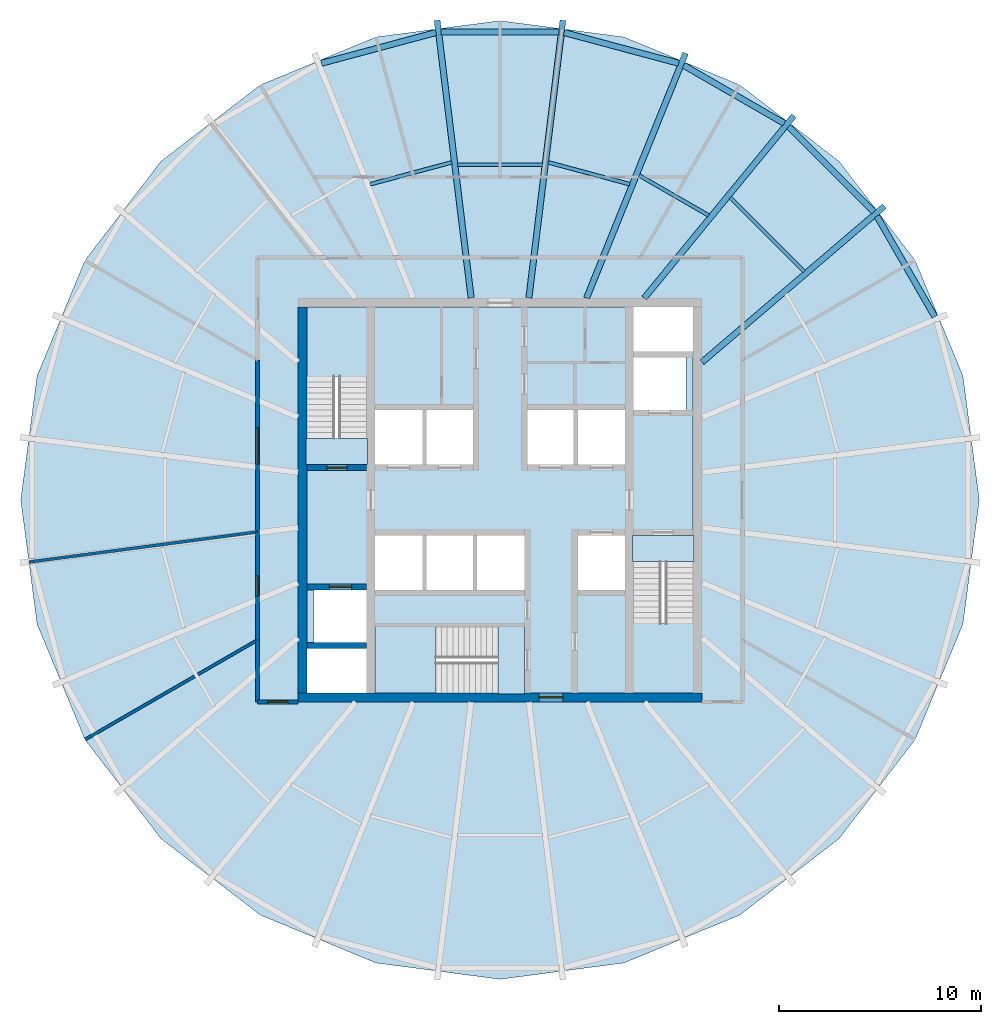
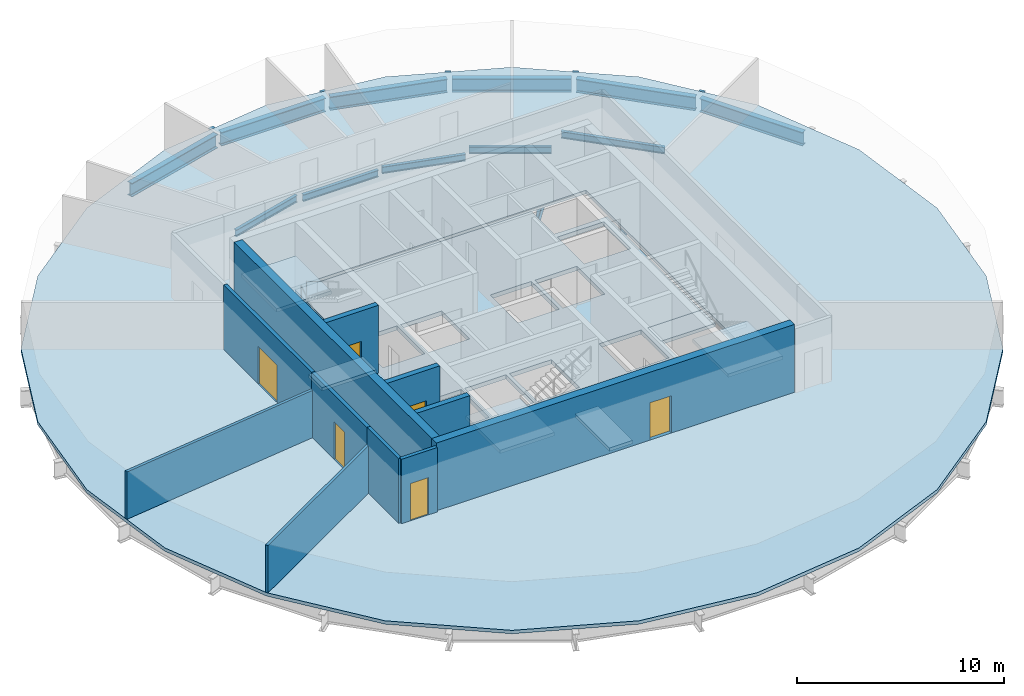
# One storey, part 2 of 5: 16 beams, 11 walls, 8 slabs, 6 doors, 6 openings, 3 elements without a shape of their own.
"""IFC4 building model written with IfcOpenShell, lengths in metres."""

import ifcopenshell
import ifcopenshell.guid

model = None  # the IFC model being written
_history = None  # IfcOwnerHistory: only IFC2X3 demands one
_inside = {}  # id of a spatial element -> (the spatial element, [elements in it])
_under = {}  # id of a project, library or spatial element -> (it, [spatial elements below it])
_declared = {}  # id of a project -> (the project, [libraries it declares])
_typed = {}  # id of a type object -> (the type object, [elements of that type])
_made_of = {}  # id of a material, layer set ... -> (it, [elements and type objects made of it])


def new_model(schema):
    """Start an empty IFC model of exactly this schema.

    Asked for "IFC4X3", IfcOpenShell would pick the latest addendum, in which some entities
    have other attributes; the version numbers below select the first issue.
    IFC2X3 requires an IfcOwnerHistory on every rooted entity: one is made here for all.
    """
    global model, _history
    if schema == "IFC4X3":
        model = ifcopenshell.file(schema_version=(4, 3, 0, 0))
    else:
        model = ifcopenshell.file(schema=schema)
    _inside.clear()
    _under.clear()
    _declared.clear()
    _typed.clear()
    _made_of.clear()
    _history = None
    if model.schema == "IFC2X3":
        org = make("IfcOrganization", Name="unknown")
        user = make(
            "IfcPersonAndOrganization",
            ThePerson=make("IfcPerson", FamilyName="unknown"),
            TheOrganization=org,
        )
        app = make(
            "IfcApplication",
            ApplicationDeveloper=org,
            Version="unknown",
            ApplicationFullName="unknown",
            ApplicationIdentifier="unknown",
        )
        _history = make(
            "IfcOwnerHistory",
            OwningUser=user,
            OwningApplication=app,
            ChangeAction="ADDED",
            CreationDate=0,
        )
    return model


def make(cls, **values):
    """One entity of the class cls with the attributes given. An attribute that is None is left unset."""
    return model.create_entity(
        cls, **{name: value for name, value in values.items() if value is not None}
    )


def rooted(cls, **values):
    """An entity with a GlobalId (a new one), such as an element, a storey or a relation."""
    return make(cls, GlobalId=ifcopenshell.guid.new(), OwnerHistory=_history, **values)


def si_unit(unit_type, name, prefix=None):
    """IfcSIUnit, for example si_unit("LENGTHUNIT", "METRE", prefix="MILLI")."""
    return make("IfcSIUnit", UnitType=unit_type, Prefix=prefix, Name=name)


def assignment(units):
    """IfcUnitAssignment: the units of a project."""
    return None if units is None else make("IfcUnitAssignment", Units=units)


def point(xyz):
    """IfcCartesianPoint."""
    return None if xyz is None else make("IfcCartesianPoint", Coordinates=xyz)


def direction(xyz):
    """IfcDirection."""
    return None if xyz is None else make("IfcDirection", DirectionRatios=xyz)


def frame(location, z_axis=None, x_axis=None):
    """IfcAxis2Placement3D, a coordinate frame: its origin and axes. An axis left out is left unset."""
    return make(
        "IfcAxis2Placement3D",
        Location=point(location),
        Axis=direction(z_axis),
        RefDirection=direction(x_axis),
    )


def frame_2d(location, x_axis=None):
    """IfcAxis2Placement2D, a coordinate frame in the plane: its origin and x axis."""
    return make(
        "IfcAxis2Placement2D", Location=point(location), RefDirection=direction(x_axis)
    )


def origin():
    """The frame at (0, 0, 0) with its axes left unset."""
    return frame((0.0, 0.0, 0.0))


def origin_2d():
    """The frame at (0, 0) in the plane with its x axis left unset."""
    return frame_2d((0.0, 0.0))


def place(relative_to, where):
    """IfcLocalPlacement: puts the frame where relative to a parent placement (None: the world)."""
    return make(
        "IfcLocalPlacement", PlacementRelTo=relative_to, RelativePlacement=where
    )


def context(
    kind, dimensions, precision=None, world=None, true_north=None, identifier=None
):
    """IfcGeometricRepresentationContext, for example the 3D "Model" context."""
    return make(
        "IfcGeometricRepresentationContext",
        ContextIdentifier=identifier,
        ContextType=kind,
        CoordinateSpaceDimension=dimensions,
        Precision=precision,
        WorldCoordinateSystem=world,
        TrueNorth=true_north,
    )


def subcontext(parent, identifier, kind, view, scale=None):
    """IfcGeometricRepresentationSubContext, for example "Body" below "Model"."""
    return make(
        "IfcGeometricRepresentationSubContext",
        ContextIdentifier=identifier,
        ContextType=kind,
        ParentContext=parent,
        TargetScale=scale,
        TargetView=view,
    )


def project(units=None, contexts=None):
    """IfcProject with its units and contexts."""
    return rooted(
        "IfcProject",
        Name="project",
        RepresentationContexts=contexts,
        UnitsInContext=assignment(units),
    )


def spatial(cls, under=None, at=None, **own):
    """A site, building, storey or space (cls), placed at a placement, below another one or the project."""
    s = rooted(cls, ObjectPlacement=at, **own)
    if under is not None:
        _under.setdefault(under.id(), (under, []))[1].append(s)
    return s


def polyline(points):
    """IfcPolyline through the points."""
    return make("IfcPolyline", Points=[point(p) for p in points])


def profile(cls, at=None, kind="AREA", **sizes):
    """A parametric profile (cls). Its sizes go by their IFC names, for example OverallWidth=200.0."""
    return make(cls, ProfileType=kind, Position=at, **sizes)


def rectangle(**sizes):
    """IfcRectangleProfileDef."""
    return profile("IfcRectangleProfileDef", **sizes)


def i_section(**sizes):
    """IfcIShapeProfileDef."""
    return profile("IfcIShapeProfileDef", **sizes)


def outline(outer, holes=None, kind="AREA"):
    """IfcArbitraryClosedProfileDef: a profile drawn as a closed curve; with holes, ...WithVoids."""
    if holes is None:
        return make("IfcArbitraryClosedProfileDef", ProfileType=kind, OuterCurve=outer)
    return make(
        "IfcArbitraryProfileDefWithVoids",
        ProfileType=kind,
        OuterCurve=outer,
        InnerCurves=holes,
    )


def extrude(swept, where, along, depth):
    """IfcExtrudedAreaSolid: the profile swept, set in the frame where, extruded along a direction by depth."""
    return make(
        "IfcExtrudedAreaSolid",
        SweptArea=swept,
        Position=where,
        ExtrudedDirection=direction(along),
        Depth=depth,
    )


def shape(context_of_items, identifier, shape_type, items):
    """IfcShapeRepresentation: the items that make up one representation, for example the "Body"."""
    return make(
        "IfcShapeRepresentation",
        ContextOfItems=context_of_items,
        RepresentationIdentifier=identifier,
        RepresentationType=shape_type,
        Items=items,
    )


def material(Name=None, Category=None):
    """IfcMaterial."""
    return make("IfcMaterial", Name=Name, Category=Category)


def layer(
    of_material, thickness, ventilated=None, Name=None, Category=None, Priority=None
):
    """IfcMaterialLayer: one layer of a wall or slab, of a material (None: an air gap)."""
    return make(
        "IfcMaterialLayer",
        Material=of_material,
        LayerThickness=thickness,
        IsVentilated=ventilated,
        Name=Name,
        Category=Category,
        Priority=Priority,
    )


def layer_set(layers, Name=None):
    """IfcMaterialLayerSet."""
    return make("IfcMaterialLayerSet", MaterialLayers=layers, LayerSetName=Name)


def material_profile(
    of_material, cross_section, Name=None, Category=None, Priority=None
):
    """IfcMaterialProfile: a cross section and its material."""
    return make(
        "IfcMaterialProfile",
        Name=Name,
        Material=of_material,
        Profile=cross_section,
        Priority=Priority,
        Category=Category,
    )


def profile_set(profiles, Name=None, composite=None):
    """IfcMaterialProfileSet."""
    return make(
        "IfcMaterialProfileSet",
        Name=Name,
        MaterialProfiles=profiles,
        CompositeProfile=composite,
    )


def made_of(thing, what):
    """Note that an element or type object is made of a material, layer set ...; save() writes the relation."""
    if what is not None:
        _made_of.setdefault(what.id(), (what, []))[1].append(thing)
    return thing


def type_object(cls, material=None, **own):
    """A type object (cls), such as IfcWallType, which elements share."""
    return made_of(rooted(cls, **own), material)


def element(
    cls,
    number,
    at=None,
    inside=None,
    cuts=None,
    type_object=None,
    material=None,
    context=None,
    identifier="Body",
    shape_type=None,
    held_by="IfcProductDefinitionShape",
    body=None,
    shapes=None,
    **own,
):
    """One element of the class cls, such as IfcWall. Its Tag is "e" and its number.

    at: its placement. inside: the storey or other place that contains it. cuts: it is an
    opening in that element (IfcRelVoidsElement). A single representation is given by context,
    identifier, shape_type and body (its items); several are given by shapes. held_by: the class
    of the entity that holds the representations. save() writes the other relations.
    """
    e = rooted(cls, Tag="e%d" % number, ObjectPlacement=at, **own)
    if body is not None:
        shapes = [shape(context, identifier, shape_type, body)]
    if shapes is not None:
        e.Representation = make(held_by, Representations=shapes)
    if inside is not None:
        _inside.setdefault(inside.id(), (inside, []))[1].append(e)
    if cuts is not None:
        rooted(
            "IfcRelVoidsElement", RelatingBuildingElement=cuts, RelatedOpeningElement=e
        )
    if type_object is not None:
        _typed.setdefault(type_object.id(), (type_object, []))[1].append(e)
    return made_of(e, material)


def fill(opening, filler):
    """IfcRelFillsElement: the door or window that sits in an opening."""
    return rooted(
        "IfcRelFillsElement",
        RelatingOpeningElement=opening,
        RelatedBuildingElement=filler,
    )


def aggregate(whole, parts):
    """IfcRelAggregates: a whole, such as a stair, and the parts it consists of."""
    return rooted("IfcRelAggregates", RelatingObject=whole, RelatedObjects=parts)


def save(model, path):
    """Write the relations noted so far, then the file.

    IfcRelAggregates (storeys below a building ...), IfcRelContainedInSpatialStructure (elements
    in a storey), IfcRelDefinesByType, IfcRelAssociatesMaterial and IfcRelDeclares: one each for
    every whole, place, type object, material and project.
    """
    for whole, parts in _under.values():
        aggregate(whole, parts)
    for where, things in _inside.values():
        rooted(
            "IfcRelContainedInSpatialStructure",
            RelatedElements=things,
            RelatingStructure=where,
        )
    for kind, things in _typed.values():
        rooted("IfcRelDefinesByType", RelatedObjects=things, RelatingType=kind)
    for what, things in _made_of.values():
        rooted("IfcRelAssociatesMaterial", RelatedObjects=things, RelatingMaterial=what)
    for by, libraries in _declared.values():
        rooted("IfcRelDeclares", RelatingContext=by, RelatedDefinitions=libraries)
    model.write(path)


model = new_model("IFC4")

# Units and contexts
model_context = context("Model", 3, precision=1e-05, world=origin(), true_north=direction((0.0, 1.0)))
body_context = subcontext(model_context, "Body", "Model", "MODEL_VIEW")
ifc_project = project(units=[si_unit("LENGTHUNIT", "METRE"), si_unit("AREAUNIT", "SQUARE_METRE"), si_unit("VOLUMEUNIT", "CUBIC_METRE"), si_unit("PLANEANGLEUNIT", "RADIAN"), si_unit("MASSUNIT", "GRAM", prefix="KILO")], contexts=[model_context])

# Site, building, storey
site_placement = place(None, origin())
site = spatial("IfcSite", under=ifc_project, at=site_placement, CompositionType="ELEMENT")
building_placement = place(site_placement, origin())
building = spatial("IfcBuilding", under=site, at=building_placement, Name="Golbaran Civic Tower", CompositionType="ELEMENT")
storey_placement = place(building_placement, frame((0.0, 0.0, 191.0)))
storey = spatial("IfcBuildingStorey", under=building, at=storey_placement, Name="L46", CompositionType="ELEMENT", Elevation=191.0)

# Beams
ifc_material_1 = material(Name="Steel S355", Category="steel")
ifc_material_profile_1 = material_profile(ifc_material_1, i_section(OverallWidth=0.300048828125, OverallDepth=0.800048828125, WebThickness=0.017578125, FlangeThickness=0.032958984375, FilletRadius=0.030029296875, at=origin_2d()), Name="HEB 800")
ifc_profile_set_1 = profile_set([ifc_material_profile_1], Name="Steel S355")
beam_type_1 = type_object("IfcBeamType", Name="EDGE BEAM HEB 800", PredefinedType="BEAM", material=ifc_profile_set_1)
beam_1_placement = place(storey_placement, frame((21.528564453125, 9.071533203125, -0.60009765625), z_axis=(-0.498783758657, 0.866726463251, 0.0), x_axis=(-0.866726463251, -0.498783758657, 0.0)))
element("IfcBeam", 1, at=beam_1_placement, inside=storey, type_object=beam_type_1, Name="Edge beam 22.54 L46", PredefinedType="BEAM", context=body_context, shape_type="SweptSolid", body=[
    extrude(i_section(OverallWidth=0.300048828125, OverallDepth=0.800048828125, WebThickness=0.017578125, FlangeThickness=0.032958984375, FilletRadius=0.030029296875, at=origin_2d()), origin(), (0.0, 0.0, 1.0), 5.750732421875),
])
beam_2_placement = place(storey_placement, frame((18.501953125, 14.2626953125, -0.60009765625), z_axis=(-0.706759243331, 0.707454148313, 0.0), x_axis=(-0.707454148313, -0.706759243331, 0.0)))
element("IfcBeam", 2, at=beam_2_placement, inside=storey, type_object=beam_type_1, Name="Edge beam 37.46 L46", PredefinedType="BEAM", context=body_context, shape_type="SweptSolid", body=[
    extrude(i_section(OverallWidth=0.300048828125, OverallDepth=0.800048828125, WebThickness=0.017578125, FlangeThickness=0.032958984375, FilletRadius=0.030029296875, at=origin_2d()), origin(), (0.0, 0.0, 1.0), 5.97265625),
])
beam_3_placement = place(storey_placement, frame((14.07421875, 18.646240234375, -0.60009765625), z_axis=(-0.866321769944, 0.499486327061, 0.0), x_axis=(-0.499486327061, -0.866321769944, 0.0)))
element("IfcBeam", 3, at=beam_3_placement, inside=storey, type_object=beam_type_1, Name="Edge beam 52.54 L46", PredefinedType="BEAM", context=body_context, shape_type="SweptSolid", body=[
    extrude(i_section(OverallWidth=0.300048828125, OverallDepth=0.800048828125, WebThickness=0.017578125, FlangeThickness=0.032958984375, FilletRadius=0.030029296875, at=origin_2d()), origin(), (0.0, 0.0, 1.0), 5.7587890625),
])
beam_4_placement = place(storey_placement, frame((8.844970703125, 21.622314453125, -0.60009765625), z_axis=(-0.965815688731, 0.259229734792, 0.0), x_axis=(-0.259229734792, -0.965815688731, 0.0)))
element("IfcBeam", 4, at=beam_4_placement, inside=storey, type_object=beam_type_1, Name="Edge beam 67.46 L46", PredefinedType="BEAM", context=body_context, shape_type="SweptSolid", body=[
    extrude(i_section(OverallWidth=0.300048828125, OverallDepth=0.800048828125, WebThickness=0.017578125, FlangeThickness=0.032958984375, FilletRadius=0.030029296875, at=origin_2d()), origin(), (0.0, 0.0, 1.0), 5.875),
])
beam_5_placement = place(storey_placement, frame((2.9130859375, 23.17919921875, -0.60009765625), z_axis=(-1.0, 0.0, 0.0), x_axis=(0.0, -1.0, 0.0)))
element("IfcBeam", 5, at=beam_5_placement, inside=storey, type_object=beam_type_1, Name="Edge beam 82.54 L46", PredefinedType="BEAM", context=body_context, shape_type="SweptSolid", body=[
    extrude(i_section(OverallWidth=0.300048828125, OverallDepth=0.800048828125, WebThickness=0.017578125, FlangeThickness=0.032958984375, FilletRadius=0.030029296875, at=origin_2d()), origin(), (0.0, 0.0, 1.0), 5.826171875),
])
beam_6_placement = place(storey_placement, frame((-3.1708984375, 23.145263671875, -0.60009765625), z_axis=(-0.965815688731, -0.259229734792, 0.0), x_axis=(0.259229734792, -0.965815688731, 0.0)))
element("IfcBeam", 6, at=beam_6_placement, inside=storey, type_object=beam_type_1, Name="Edge beam 97.46 L46", PredefinedType="BEAM", context=body_context, shape_type="SweptSolid", body=[
    extrude(i_section(OverallWidth=0.300048828125, OverallDepth=0.800048828125, WebThickness=0.017578125, FlangeThickness=0.032958984375, FilletRadius=0.030029296875, at=origin_2d()), origin(), (0.0, 0.0, 1.0), 5.875),
])
ifc_material_profile_2 = material_profile(ifc_material_1, i_section(OverallWidth=0.179931640625, OverallDepth=0.39990234375, WebThickness=0.008544921875, FlangeThickness=0.013427734375, FilletRadius=0.02099609375, at=origin_2d()), Name="IPE 400")
ifc_profile_set_2 = profile_set([ifc_material_profile_2], Name="Steel S355")
beam_type_2 = type_object("IfcBeamType", Name="FLOOR INFILL BEAM IPE 400", PredefinedType="BEAM", material=ifc_profile_set_2)
beam_7_placement = place(storey_placement, frame((15.06201171875, 11.3212890625, -0.39990234375), z_axis=(-0.707106781187, 0.707106781187, 0.0), x_axis=(-0.707106781187, -0.707106781187, 0.0)))
element("IfcBeam", 7, at=beam_7_placement, inside=storey, type_object=beam_type_2, Name="Infill beam 45.00 L46", PredefinedType="BEAM", context=body_context, shape_type="SweptSolid", body=[
    extrude(i_section(OverallWidth=0.179931640625, OverallDepth=0.39990234375, WebThickness=0.008544921875, FlangeThickness=0.013427734375, FilletRadius=0.02099609375, at=origin_2d()), origin(), (0.0, 0.0, 1.0), 5.176513671875),
])
beam_8_placement = place(storey_placement, frame((10.330810546875, 14.087158203125, -0.39990234375), z_axis=(-0.86601911396, 0.500010894137, 0.0), x_axis=(-0.500010894137, -0.86601911396, 0.0)))
element("IfcBeam", 8, at=beam_8_placement, inside=storey, type_object=beam_type_2, Name="Infill beam 60.00 L46", PredefinedType="BEAM", context=body_context, shape_type="SweptSolid", body=[
    extrude(i_section(OverallWidth=0.179931640625, OverallDepth=0.39990234375, WebThickness=0.008544921875, FlangeThickness=0.013427734375, FilletRadius=0.02099609375, at=origin_2d()), origin(), (0.0, 0.0, 1.0), 3.98095703125),
])
beam_9_placement = place(storey_placement, frame((6.423828125, 15.634521484375, -0.39990234375), z_axis=(-0.96592721274, 0.258813870741, 0.0), x_axis=(-0.258813870741, -0.96592721274, 0.0)))
element("IfcBeam", 9, at=beam_9_placement, inside=storey, type_object=beam_type_2, Name="Infill beam 75.00 L46", PredefinedType="BEAM", context=body_context, shape_type="SweptSolid", body=[
    extrude(i_section(OverallWidth=0.179931640625, OverallDepth=0.39990234375, WebThickness=0.008544921875, FlangeThickness=0.013427734375, FilletRadius=0.02099609375, at=origin_2d()), origin(), (0.0, 0.0, 1.0), 4.18359375),
])
beam_10_placement = place(storey_placement, frame((2.105224609375, 16.589599609375, -0.39990234375), z_axis=(-1.0, 0.0, 0.0), x_axis=(0.0, -1.0, 0.0)))
element("IfcBeam", 10, at=beam_10_placement, inside=storey, type_object=beam_type_2, Name="Infill beam 90.00 L46", PredefinedType="BEAM", context=body_context, shape_type="SweptSolid", body=[
    extrude(i_section(OverallWidth=0.179931640625, OverallDepth=0.39990234375, WebThickness=0.008544921875, FlangeThickness=0.013427734375, FilletRadius=0.02099609375, at=origin_2d()), origin(), (0.0, 0.0, 1.0), 4.21044921875),
])
beam_11_placement = place(storey_placement, frame((-2.3828125, 16.71728515625, -0.39990234375), z_axis=(-0.96592721274, -0.258813870741, 0.0), x_axis=(0.258813870741, -0.96592721274, 0.0)))
element("IfcBeam", 11, at=beam_11_placement, inside=storey, type_object=beam_type_2, Name="Infill beam 105.00 L46", PredefinedType="BEAM", context=body_context, shape_type="SweptSolid", body=[
    extrude(i_section(OverallWidth=0.179931640625, OverallDepth=0.39990234375, WebThickness=0.008544921875, FlangeThickness=0.013427734375, FilletRadius=0.02099609375, at=origin_2d()), origin(), (0.0, 0.0, 1.0), 4.18359375),
])
ifc_material_profile_3 = material_profile(ifc_material_1, i_section(OverallWidth=0.300048828125, OverallDepth=1.0, WebThickness=0.01904296875, FlangeThickness=0.035888671875, FilletRadius=0.030029296875, at=origin_2d()), Name="HEB 1000")
ifc_profile_set_3 = profile_set([ifc_material_profile_3], Name="Steel S355")
beam_type_3 = type_object("IfcBeamType", Name="RADIAL FLOOR BEAM HEB 1000", PredefinedType="BEAM", material=ifc_profile_set_3)
beam_12_placement = place(storey_placement, frame((10.0, 6.821533203125, -0.7099609375), z_axis=(0.760014614656, 0.649905982054, 0.0), x_axis=(-0.649905982054, 0.760014614656, 0.0)))
element("IfcBeam", 12, at=beam_12_placement, inside=storey, type_object=beam_type_3, Name="Radial beam 37.46 L46", PredefinedType="BEAM", context=body_context, shape_type="SweptSolid", body=[
    extrude(i_section(OverallWidth=0.300048828125, OverallDepth=1.0, WebThickness=0.01904296875, FlangeThickness=0.035888671875, FilletRadius=0.030029296875, at=origin_2d()), origin(), (0.0, 0.0, 1.0), 11.88232421875),
])
beam_13_placement = place(storey_placement, frame((7.142822265625, 10.0, -0.7099609375), z_axis=(0.634591816871, 0.772847479106, 0.0), x_axis=(-0.772847479106, 0.634591816871, 0.0)))
element("IfcBeam", 13, at=beam_13_placement, inside=storey, type_object=beam_type_3, Name="Radial beam 52.54 L46", PredefinedType="BEAM", context=body_context, shape_type="SweptSolid", body=[
    extrude(i_section(OverallWidth=0.300048828125, OverallDepth=1.0, WebThickness=0.01904296875, FlangeThickness=0.035888671875, FilletRadius=0.030029296875, at=origin_2d()), origin(), (0.0, 0.0, 1.0), 11.67578125),
])
beam_14_placement = place(storey_placement, frame((4.28564453125, 10.0, -0.7099609375), z_axis=(0.374865680625, 0.927079134427, 0.0), x_axis=(-0.927079134427, 0.374865680625, 0.0)))
element("IfcBeam", 14, at=beam_14_placement, inside=storey, type_object=beam_type_3, Name="Radial beam 67.46 L46", PredefinedType="BEAM", context=body_context, shape_type="SweptSolid", body=[
    extrude(i_section(OverallWidth=0.300048828125, OverallDepth=1.0, WebThickness=0.01904296875, FlangeThickness=0.035888671875, FilletRadius=0.030029296875, at=origin_2d()), origin(), (0.0, 0.0, 1.0), 13.072509765625),
])
for number, where, z_axis, x_axis, name in (
    (15, (1.428466796875, 10.0, -0.7099609375), (0.121665240472, 0.992571191029, 0.0), (-0.992571191029, 0.121665240472, 0.0), "Radial beam 82.54 L46"),
    (16, (-1.428466796875, 10.0, -0.7099609375), (-0.121665240472, 0.992571191029, 0.0), (-0.992571191029, -0.121665240472, 0.0), "Radial beam 97.46 L46"),
):
    element("IfcBeam", number, at=place(storey_placement, frame(where, z_axis=z_axis, x_axis=x_axis)), inside=storey, type_object=beam_type_3, Name=name, PredefinedType="BEAM", context=body_context, shape_type="SweptSolid", body=[
        extrude(i_section(OverallWidth=0.300048828125, OverallDepth=1.0, WebThickness=0.01904296875, FlangeThickness=0.035888671875, FilletRadius=0.030029296875, at=origin_2d()), origin(), (0.0, 0.0, 1.0), 13.849853515625),
    ])

# Slabs
ifc_material_2 = material(Name="Concrete LC30/33 lightweight on steel deck", Category="concrete")
ifc_layer_1 = layer(ifc_material_2, 0.199951171875, Name="Concrete LC30/33 lightweight on steel deck")
ifc_layer_set_1 = layer_set([ifc_layer_1], Name="Concrete LC30/33 lightweight on steel deck")
slab_type_1 = type_object("IfcSlabType", Name="COMPOSITE FLOOR SLAB 200", PredefinedType="FLOOR", material=ifc_layer_set_1)
slab_1_placement = place(storey_placement, frame((0.0, 0.0, -0.199951171875)))
element("IfcSlab", 17, at=slab_1_placement, inside=storey, type_object=slab_type_1, Name="Floor slab L46", PredefinedType="FLOOR", context=body_context, shape_type="SweptSolid", body=[
    extrude(outline(polyline([(20.552001953125, -11.86572265625), (16.780517578125, -16.780517578125), (11.86572265625, -20.552001953125), (6.14208984375, -22.922607421875), (0.0, -23.731201171875), (-6.14208984375, -22.922607421875), (-11.86572265625, -20.552001953125), (-16.780517578125, -16.780517578125), (-20.552001953125, -11.86572265625), (-22.922607421875, -6.14208984375), (-23.731201171875, 0.0), (-22.922607421875, 6.14208984375), (-20.552001953125, 11.86572265625), (-16.780517578125, 16.780517578125), (-11.86572265625, 20.552001953125), (-6.14208984375, 22.922607421875), (0.0, 23.731201171875), (6.14208984375, 22.922607421875), (11.86572265625, 20.552001953125), (16.780517578125, 16.780517578125), (20.552001953125, 11.86572265625), (22.922607421875, 6.14208984375), (23.731201171875, 0.0), (22.922607421875, -6.14208984375), (20.552001953125, -11.86572265625)]), holes=[polyline([(-9.77490234375, 9.77490234375), (-9.77490234375, -9.77490234375), (9.77490234375, -9.77490234375), (9.77490234375, 9.77490234375), (-9.77490234375, 9.77490234375)])]), origin(), (0.0, 0.0, 1.0), 0.199951171875),
])
ifc_material_3 = material(Name="Concrete C35/45", Category="concrete")
ifc_layer_2 = layer(ifc_material_3, 0.25, Name="Concrete C35/45")
ifc_layer_set_2 = layer_set([ifc_layer_2], Name="Concrete C35/45")
slab_type_2 = type_object("IfcSlabType", Name="CORE FLOOR SLAB 250", PredefinedType="FLOOR", material=ifc_layer_set_2)
slab_2_placement = place(storey_placement, frame((0.0, 0.0, -0.25)))
element("IfcSlab", 18, at=slab_2_placement, inside=storey, type_object=slab_type_2, Name="Core floor slab L46", PredefinedType="FLOOR", context=body_context, shape_type="SweptSolid", body=[
    extrude(outline(polyline([(6.60009765625, -1.75), (6.60009765625, -9.550048828125), (1.199951171875, -9.550048828125), (1.199951171875, -6.300048828125), (-6.199951171875, -6.300048828125), (-6.199951171875, -9.550048828125), (-6.60009765625, -9.550048828125), (-6.60009765625, -7.35009765625), (-9.550048828125, -7.35009765625), (-9.550048828125, 1.75), (-6.60009765625, 1.75), (-6.60009765625, 9.550048828125), (6.60009765625, 9.550048828125), (6.60009765625, 7.35009765625), (9.550048828125, 7.35009765625), (9.550048828125, -1.75), (6.60009765625, -1.75)]), holes=[polyline([(9.199951171875, 7.050048828125), (6.60009765625, 7.050048828125), (6.60009765625, 4.449951171875), (9.199951171875, 4.449951171875), (9.199951171875, 7.050048828125)]), polyline([(6.199951171875, -1.75), (3.85009765625, -1.75), (3.85009765625, -4.449951171875), (6.199951171875, -4.449951171875), (6.199951171875, -1.75)]), polyline([(6.199951171875, 4.449951171875), (3.85009765625, 4.449951171875), (3.85009765625, 1.75), (6.199951171875, 1.75), (6.199951171875, 4.449951171875)]), polyline([(3.64990234375, 4.449951171875), (1.35009765625, 4.449951171875), (1.35009765625, 1.75), (3.64990234375, 1.75), (3.64990234375, 4.449951171875)]), polyline([(1.199951171875, -1.75), (-1.14990234375, -1.75), (-1.14990234375, -4.449951171875), (1.199951171875, -4.449951171875), (1.199951171875, -1.75)]), polyline([(-1.35009765625, 4.449951171875), (-3.64990234375, 4.449951171875), (-3.64990234375, 1.75), (-1.35009765625, 1.75), (-1.35009765625, 4.449951171875)]), polyline([(-1.35009765625, -1.75), (-3.64990234375, -1.75), (-3.64990234375, -4.449951171875), (-1.35009765625, -4.449951171875), (-1.35009765625, -1.75)]), polyline([(-3.85009765625, -1.75), (-6.199951171875, -1.75), (-6.199951171875, -4.449951171875), (-3.85009765625, -4.449951171875), (-3.85009765625, -1.75)]), polyline([(-3.85009765625, 4.449951171875), (-6.199951171875, 4.449951171875), (-6.199951171875, 1.75), (-3.85009765625, 1.75), (-3.85009765625, 4.449951171875)]), polyline([(-6.60009765625, -4.449951171875), (-9.199951171875, -4.449951171875), (-9.199951171875, -7.050048828125), (-6.60009765625, -7.050048828125), (-6.60009765625, -4.449951171875)])]), origin(), (0.0, 0.0, 1.0), 0.25),
])

# Stair, slab
stair_type_1 = type_object("IfcStairType", Name="EXIT STAIR 2950 x 7800, 4000 RISE", PredefinedType="HALF_TURN_STAIR", material=ifc_material_3)
stair_1_placement = place(storey_placement, origin())
stair_1 = element("IfcStair", 19, at=stair_1_placement, inside=storey, type_object=stair_type_1, Name="Stair S1 L46", PredefinedType="HALF_TURN_STAIR")
ifc_layer_3 = layer(ifc_material_3, 0.199951171875, Name="Concrete C35/45")
ifc_layer_set_3 = layer_set([ifc_layer_3], Name="Concrete C35/45")
slab_type_3 = type_object("IfcSlabType", Name="STAIR LANDING 200", PredefinedType="LANDING", material=ifc_layer_set_3)
slab_3_placement = place(storey_placement, frame((0.0, 0.0, 1.800048828125)))
slab_3 = element("IfcSlab", 20, at=slab_3_placement, type_object=slab_type_3, Name="ST29578-40 landing 1", PredefinedType="LANDING", context=body_context, shape_type="SweptSolid", body=[
    extrude(outline(polyline([(-9.60009765625, 6.125), (-9.60009765625, 9.550048828125), (-6.550048828125, 9.550048828125), (-6.550048828125, 6.125), (-9.60009765625, 6.125)])), origin(), (0.0, 0.0, 1.0), 0.199951171875),
])
aggregate(stair_1, [slab_3])

# Slab
slab_4_placement = place(storey_placement, frame((0.0, 0.0, -0.199951171875)))
element("IfcSlab", 21, at=slab_4_placement, inside=storey, type_object=slab_type_3, Name="Stair S1 floor landing L46", PredefinedType="LANDING", context=body_context, shape_type="SweptSolid", body=[
    extrude(outline(polyline([(-9.60009765625, 1.75), (-9.60009765625, 3.054931640625), (-6.550048828125, 3.054931640625), (-6.550048828125, 1.75), (-9.60009765625, 1.75)])), origin(), (0.0, 0.0, 1.0), 0.199951171875),
])

# Stair, slab
stair_2_placement = place(storey_placement, origin())
stair_2 = element("IfcStair", 22, at=stair_2_placement, inside=storey, type_object=stair_type_1, Name="Stair S2 L46", PredefinedType="HALF_TURN_STAIR")
slab_5_placement = place(storey_placement, frame((0.0, 0.0, 1.800048828125)))
slab_5 = element("IfcSlab", 23, at=slab_5_placement, type_object=slab_type_3, Name="ST29578-40 landing 1", PredefinedType="LANDING", context=body_context, shape_type="SweptSolid", body=[
    extrude(outline(polyline([(9.60009765625, -6.125), (9.60009765625, -9.550048828125), (6.550048828125, -9.550048828125), (6.550048828125, -6.125), (9.60009765625, -6.125)])), origin(), (0.0, 0.0, 1.0), 0.199951171875),
])
aggregate(stair_2, [slab_5])

# Slab
slab_6_placement = place(storey_placement, frame((0.0, 0.0, -0.199951171875)))
element("IfcSlab", 24, at=slab_6_placement, inside=storey, type_object=slab_type_3, Name="Stair S2 floor landing L46", PredefinedType="LANDING", context=body_context, shape_type="SweptSolid", body=[
    extrude(outline(polyline([(9.60009765625, -1.75), (9.60009765625, -3.054931640625), (6.550048828125, -3.054931640625), (6.550048828125, -1.75), (9.60009765625, -1.75)])), origin(), (0.0, 0.0, 1.0), 0.199951171875),
])

# Stair, slab
stair_type_2 = type_object("IfcStairType", Name="EXIT STAIR 3250 x 7400, 4000 RISE", PredefinedType="HALF_TURN_STAIR", material=ifc_material_3)
stair_3_placement = place(storey_placement, origin())
stair_3 = element("IfcStair", 25, at=stair_3_placement, inside=storey, type_object=stair_type_2, Name="Stair S3 L46", PredefinedType="HALF_TURN_STAIR")
slab_7_placement = place(storey_placement, frame((0.0, 0.0, 1.800048828125)))
slab_7 = element("IfcSlab", 26, at=slab_7_placement, type_object=slab_type_3, Name="ST32574-40 landing 1", PredefinedType="LANDING", context=body_context, shape_type="SweptSolid", body=[
    extrude(outline(polyline([(-3.175048828125, -9.60009765625), (-6.199951171875, -9.60009765625), (-6.199951171875, -6.25), (-3.175048828125, -6.25), (-3.175048828125, -9.60009765625)])), origin(), (0.0, 0.0, 1.0), 0.199951171875),
])
aggregate(stair_3, [slab_7])

# Slab
slab_8_placement = place(storey_placement, frame((0.0, 0.0, -0.199951171875)))
element("IfcSlab", 27, at=slab_8_placement, inside=storey, type_object=slab_type_3, Name="Stair S3 floor landing L46", PredefinedType="LANDING", context=body_context, shape_type="SweptSolid", body=[
    extrude(outline(polyline([(1.199951171875, -9.60009765625), (-0.10498046875, -9.60009765625), (-0.10498046875, -6.25), (1.199951171875, -6.25), (1.199951171875, -9.60009765625)])), origin(), (0.0, 0.0, 1.0), 0.199951171875),
])

# Wall, opening, door
ifc_material_4 = material(Name="Concrete C50/60", Category="concrete")
ifc_layer_4 = layer(ifc_material_4, 0.449951171875, Name="Concrete C50/60")
ifc_layer_set_4 = layer_set([ifc_layer_4], Name="Concrete C50/60")
wall_type_1 = type_object("IfcWallType", Name="CORE WALL CONCRETE 450", PredefinedType="SOLIDWALL", material=ifc_layer_set_4)
wall_1_placement = place(storey_placement, frame((10.0, -9.77490234375, 0.0), z_axis=(0.0, 0.0, 1.0), x_axis=(-1.0, 0.0, 0.0)))
wall_1 = element("IfcWall", 28, at=wall_1_placement, inside=storey, type_object=wall_type_1, Name="Core wall CS L46", PredefinedType="SOLIDWALL", context=body_context, shape_type="SweptSolid", body=[
    extrude(rectangle(XDim=20.0, YDim=0.449951171875, at=frame_2d((10.0, 0.0))), origin(), (0.0, 0.0, 1.0), 4.0),
])
opening_1_placement = place(wall_1_placement, frame((6.875, 0.0, 0.0)))
opening_1 = element("IfcOpeningElement", 29, at=opening_1_placement, cuts=wall_1, Name="Opening L46.CS", PredefinedType="OPENING", context=body_context, shape_type="SweptSolid", body=[
    extrude(rectangle(XDim=1.199951171875, YDim=2.199951171875, at=frame_2d((0.60009765625, 1.10009765625))), frame((0.0, 0.23486328125, 0.0), z_axis=(0.0, -1.0, 0.0), x_axis=(1.0, 0.0, 0.0)), (0.0, 0.0, 1.0), 0.469970703125),
])
ifc_material_5 = material(Name="Timber door set in steel frame", Category="steel")
door_type_1 = type_object("IfcDoorType", Name="CORE DOOR 1200x2200", OperationType="DOUBLE_DOOR_SINGLE_SWING", PredefinedType="DOOR", material=ifc_material_5)
door_1_placement = place(opening_1_placement, origin())
door_1 = element("IfcDoor", 30, at=door_1_placement, inside=storey, type_object=door_type_1, Name="Core door south", OperationType="DOUBLE_DOOR_SINGLE_SWING", OverallHeight=2.199951171875, OverallWidth=1.199951171875, PredefinedType="DOOR", context=body_context, shape_type="SweptSolid", body=[
    extrude(rectangle(XDim=1.199951171875, YDim=2.199951171875, at=frame_2d((0.60009765625, 1.10009765625))), frame((0.0, 0.02490234375, 0.0), z_axis=(0.0, -1.0, 0.0), x_axis=(1.0, 0.0, 0.0)), (0.0, 0.0, 1.0), 0.050048828125),
])
fill(opening_1, door_1)

# Wall
wall_2_placement = place(storey_placement, frame((-9.77490234375, 9.550048828125, 0.0), z_axis=(0.0, 0.0, 1.0), x_axis=(0.0, -1.0, 0.0)))
element("IfcWall", 31, at=wall_2_placement, inside=storey, type_object=wall_type_1, Name="Core wall CW L46", PredefinedType="SOLIDWALL", context=body_context, shape_type="SweptSolid", body=[
    extrude(rectangle(XDim=19.10009765625, YDim=0.449951171875, at=frame_2d((9.550048828125, 0.0))), origin(), (0.0, 0.0, 1.0), 4.0),
])

# Wall, opening, door
ifc_material_6 = material(Name="Gypsum board on steel studs, fire-rated", Category="steel")
ifc_layer_5 = layer(ifc_material_6, 0.199951171875, Name="Gypsum board on steel studs, fire-rated")
ifc_layer_set_5 = layer_set([ifc_layer_5], Name="Gypsum board on steel studs, fire-rated")
wall_type_2 = type_object("IfcWallType", Name="CORRIDOR WALL 200", PredefinedType="PARTITIONING", material=ifc_layer_set_5)
wall_3_placement = place(storey_placement, frame((-12.0, 6.92822265625, 0.0), z_axis=(0.0, 0.0, 1.0), x_axis=(0.0, -1.0, 0.0)))
wall_3 = element("IfcWall", 32, at=wall_3_placement, inside=storey, type_object=wall_type_2, Name="Corridor wall L46", PredefinedType="PARTITIONING", context=body_context, shape_type="SweptSolid", body=[
    extrude(rectangle(XDim=8.508056640625, YDim=0.199951171875, at=frame_2d((4.25390625, 0.0))), origin(), (0.0, 0.0, 1.0), 3.800048828125),
])
opening_2_placement = place(wall_3_placement, frame((3.35400390625, 0.0, 0.0)))
opening_2 = element("IfcOpeningElement", 33, at=opening_2_placement, cuts=wall_3, Name="Opening L46.11", PredefinedType="OPENING", context=body_context, shape_type="SweptSolid", body=[
    extrude(rectangle(XDim=1.800048828125, YDim=2.199951171875, at=frame_2d((0.89990234375, 1.10009765625))), frame((0.0, 0.10986328125, 0.0), z_axis=(0.0, -1.0, 0.0), x_axis=(1.0, 0.0, 0.0)), (0.0, 0.0, 1.0), 0.219970703125),
])
door_type_2 = type_object("IfcDoorType", Name="OFFICE DOUBLE DOOR 1800x2200", OperationType="DOUBLE_DOOR_SINGLE_SWING", PredefinedType="DOOR", material=ifc_material_5)
door_2_placement = place(opening_2_placement, origin())
door_2 = element("IfcDoor", 34, at=door_2_placement, inside=storey, type_object=door_type_2, Name="IT Services Office door L46", OperationType="DOUBLE_DOOR_SINGLE_SWING", OverallHeight=2.199951171875, OverallWidth=1.800048828125, PredefinedType="DOOR", context=body_context, shape_type="SweptSolid", body=[
    extrude(rectangle(XDim=1.800048828125, YDim=2.199951171875, at=frame_2d((0.89990234375, 1.10009765625))), frame((0.0, 0.02490234375, 0.0), z_axis=(0.0, -1.0, 0.0), x_axis=(1.0, 0.0, 0.0)), (0.0, 0.0, 1.0), 0.050048828125),
])
fill(opening_2, door_2)

wall_4_placement = place(storey_placement, frame((-12.0, -1.579833984375, 0.0), z_axis=(0.0, 0.0, 1.0), x_axis=(0.0, -1.0, 0.0)))
wall_4 = element("IfcWall", 35, at=wall_4_placement, inside=storey, type_object=wall_type_2, Name="Corridor wall L46", PredefinedType="PARTITIONING", context=body_context, shape_type="SweptSolid", body=[
    extrude(rectangle(XDim=5.348388671875, YDim=0.199951171875, at=frame_2d((2.67431640625, 0.0))), origin(), (0.0, 0.0, 1.0), 3.800048828125),
])
opening_3_placement = place(wall_4_placement, frame((2.174072265625, 0.0, 0.0)))
opening_3 = element("IfcOpeningElement", 36, at=opening_3_placement, cuts=wall_4, Name="Opening L46.12", PredefinedType="OPENING", context=body_context, shape_type="SweptSolid", body=[
    extrude(rectangle(XDim=1.0, YDim=2.199951171875, at=frame_2d((0.5, 1.10009765625))), frame((0.0, 0.10986328125, 0.0), z_axis=(0.0, -1.0, 0.0), x_axis=(1.0, 0.0, 0.0)), (0.0, 0.0, 1.0), 0.219970703125),
])
door_type_3 = type_object("IfcDoorType", Name="OFFICE DOOR 1000x2200", OperationType="SINGLE_SWING_LEFT", PredefinedType="DOOR", material=ifc_material_5)
door_3_placement = place(opening_3_placement, origin())
door_3 = element("IfcDoor", 37, at=door_3_placement, inside=storey, type_object=door_type_3, Name="Project Room door L46", OperationType="SINGLE_SWING_RIGHT", OverallHeight=2.199951171875, OverallWidth=1.0, PredefinedType="DOOR", context=body_context, shape_type="SweptSolid", body=[
    extrude(rectangle(XDim=1.0, YDim=2.199951171875, at=frame_2d((0.5, 1.10009765625))), frame((0.0, 0.02490234375, 0.0), z_axis=(0.0, -1.0, 0.0), x_axis=(1.0, 0.0, 0.0)), (0.0, 0.0, 1.0), 0.050048828125),
])
fill(opening_3, door_3)

# Wall
wall_5_placement = place(storey_placement, frame((-12.0, -6.92822265625, 0.0), z_axis=(0.0, 0.0, 1.0), x_axis=(0.0, -1.0, 0.0)))
element("IfcWall", 38, at=wall_5_placement, inside=storey, type_object=wall_type_2, Name="Corridor wall L46", PredefinedType="PARTITIONING", context=body_context, shape_type="SweptSolid", body=[
    extrude(rectangle(XDim=3.07177734375, YDim=0.199951171875, at=frame_2d((1.535888671875, 0.0))), origin(), (0.0, 0.0, 1.0), 3.800048828125),
])

# Wall, opening, door
wall_6_placement = place(storey_placement, frame((-10.0, -10.0, 0.0), z_axis=(0.0, 0.0, 1.0), x_axis=(-1.0, 0.0, 0.0)))
wall_6 = element("IfcWall", 39, at=wall_6_placement, inside=storey, type_object=wall_type_2, Name="Corridor end wall L46", PredefinedType="PARTITIONING", context=body_context, shape_type="SweptSolid", body=[
    extrude(rectangle(XDim=2.0, YDim=0.199951171875, at=frame_2d((1.0, 0.0))), origin(), (0.0, 0.0, 1.0), 3.800048828125),
])
opening_4_placement = place(wall_6_placement, frame((0.5, 0.0, 0.0)))
opening_4 = element("IfcOpeningElement", 40, at=opening_4_placement, cuts=wall_6, Name="Opening L46.15", PredefinedType="OPENING", context=body_context, shape_type="SweptSolid", body=[
    extrude(rectangle(XDim=1.0, YDim=2.199951171875, at=frame_2d((0.5, 1.10009765625))), frame((0.0, 0.10986328125, 0.0), z_axis=(0.0, -1.0, 0.0), x_axis=(1.0, 0.0, 0.0)), (0.0, 0.0, 1.0), 0.219970703125),
])
door_4_placement = place(opening_4_placement, origin())
door_4 = element("IfcDoor", 41, at=door_4_placement, inside=storey, type_object=door_type_3, Name="Open Office door L46", OperationType="SINGLE_SWING_RIGHT", OverallHeight=2.199951171875, OverallWidth=1.0, PredefinedType="DOOR", context=body_context, shape_type="SweptSolid", body=[
    extrude(rectangle(XDim=1.0, YDim=2.199951171875, at=frame_2d((0.5, 1.10009765625))), frame((0.0, 0.02490234375, 0.0), z_axis=(0.0, -1.0, 0.0), x_axis=(1.0, 0.0, 0.0)), (0.0, 0.0, 1.0), 0.050048828125),
])
fill(opening_4, door_4)

# Walls
ifc_material_7 = material(Name="Gypsum board on steel studs", Category="steel")
ifc_layer_6 = layer(ifc_material_7, 0.14990234375, Name="Gypsum board on steel studs")
ifc_layer_set_6 = layer_set([ifc_layer_6], Name="Gypsum board on steel studs")
wall_type_3 = type_object("IfcWallType", Name="OFFICE PARTITION 150", PredefinedType="PARTITIONING", material=ifc_layer_set_6)
wall_7_placement = place(storey_placement, frame((-12.0, -1.579833984375, 0.0), z_axis=(0.0, 0.0, 1.0), x_axis=(-0.991444173628, -0.130531416064, 0.0)))
element("IfcWall", 42, at=wall_7_placement, inside=storey, type_object=wall_type_3, Name="Partition 187.5 L46", PredefinedType="PARTITIONING", context=body_context, shape_type="SweptSolid", body=[
    extrude(rectangle(XDim=11.414794921875, YDim=0.14990234375, at=frame_2d((5.70751953125, 0.0))), origin(), (0.0, 0.0, 1.0), 2.7900390625),
])
wall_8_placement = place(storey_placement, frame((-12.0, -6.92822265625, 0.0), z_axis=(0.0, 0.0, 1.0), x_axis=(-0.866027739639, -0.49999595416, 0.0)))
element("IfcWall", 43, at=wall_8_placement, inside=storey, type_object=wall_type_3, Name="Partition 210 L46", PredefinedType="PARTITIONING", context=body_context, shape_type="SweptSolid", body=[
    extrude(rectangle(XDim=9.86474609375, YDim=0.14990234375, at=frame_2d((4.932373046875, 0.0))), origin(), (0.0, 0.0, 1.0), 2.7900390625),
])

# Wall, opening, door
ifc_layer_7 = layer(ifc_material_4, 0.300048828125, Name="Concrete C50/60")
ifc_layer_set_7 = layer_set([ifc_layer_7], Name="Concrete C50/60")
wall_type_4 = type_object("IfcWallType", Name="SHAFT WALL CONCRETE 300", PredefinedType="SOLIDWALL", material=ifc_layer_set_7)
wall_9_placement = place(storey_placement, frame((-9.550048828125, 1.60009765625, 0.0), z_axis=(0.0, 0.0, 1.0), x_axis=(1.0, 0.0, 0.0)))
wall_9 = element("IfcWall", 44, at=wall_9_placement, inside=storey, type_object=wall_type_4, Name="Core wall XW1 L46", PredefinedType="SOLIDWALL", context=body_context, shape_type="SweptSolid", body=[
    extrude(rectangle(XDim=2.949951171875, YDim=0.300048828125, at=frame_2d((1.47509765625, 0.0))), origin(), (0.0, 0.0, 1.0), 4.0),
])
opening_5_placement = place(wall_9_placement, frame((0.97509765625, 0.0, 0.0)))
opening_5 = element("IfcOpeningElement", 45, at=opening_5_placement, cuts=wall_9, Name="Opening L46.S1", PredefinedType="OPENING", context=body_context, shape_type="SweptSolid", body=[
    extrude(rectangle(XDim=1.0, YDim=2.199951171875, at=frame_2d((0.5, 1.10009765625))), frame((0.0, 0.159912109375, 0.0), z_axis=(0.0, -1.0, 0.0), x_axis=(1.0, 0.0, 0.0)), (0.0, 0.0, 1.0), 0.320068359375),
])
door_type_4 = type_object("IfcDoorType", Name="STAIR DOOR 1000x2200", OperationType="SINGLE_SWING_LEFT", PredefinedType="DOOR", material=ifc_material_5)
door_5_placement = place(opening_5_placement, origin())
door_5 = element("IfcDoor", 46, at=door_5_placement, inside=storey, type_object=door_type_4, Name="Stair S1 door", OperationType="SINGLE_SWING_LEFT", OverallHeight=2.199951171875, OverallWidth=1.0, PredefinedType="DOOR", context=body_context, shape_type="SweptSolid", body=[
    extrude(rectangle(XDim=1.0, YDim=2.199951171875, at=frame_2d((0.5, 1.10009765625))), frame((0.0, 0.02490234375, 0.0), z_axis=(0.0, -1.0, 0.0), x_axis=(1.0, 0.0, 0.0)), (0.0, 0.0, 1.0), 0.050048828125),
])
fill(opening_5, door_5)

wall_10_placement = place(storey_placement, frame((-9.550048828125, -4.300048828125, 0.0), z_axis=(0.0, 0.0, 1.0), x_axis=(1.0, 0.0, 0.0)))
wall_10 = element("IfcWall", 47, at=wall_10_placement, inside=storey, type_object=wall_type_4, Name="Core wall XW2 L46", PredefinedType="SOLIDWALL", context=body_context, shape_type="SweptSolid", body=[
    extrude(rectangle(XDim=2.949951171875, YDim=0.300048828125, at=frame_2d((1.47509765625, 0.0))), origin(), (0.0, 0.0, 1.0), 4.0),
])
opening_6_placement = place(wall_10_placement, frame((1.10009765625, 0.0, 0.0)))
opening_6 = element("IfcOpeningElement", 48, at=opening_6_placement, cuts=wall_10, Name="Opening L46.LD-F1", PredefinedType="OPENING", context=body_context, shape_type="SweptSolid", body=[
    extrude(rectangle(XDim=1.10009765625, YDim=2.199951171875, at=frame_2d((0.550048828125, 1.10009765625))), frame((0.0, 0.159912109375, 0.0), z_axis=(0.0, -1.0, 0.0), x_axis=(1.0, 0.0, 0.0)), (0.0, 0.0, 1.0), 0.320068359375),
])
ifc_material_8 = material(Name="Stainless steel", Category="steel")
door_type_5 = type_object("IfcDoorType", Name="LIFT LANDING DOOR 1100x2200", OperationType="SLIDING_TO_LEFT", PredefinedType="DOOR", material=ifc_material_8)
door_6_placement = place(opening_6_placement, origin())
door_6 = element("IfcDoor", 49, at=door_6_placement, inside=storey, type_object=door_type_5, Name="Lift landing door F1", OperationType="SLIDING_TO_LEFT", OverallHeight=2.199951171875, OverallWidth=1.10009765625, PredefinedType="DOOR", context=body_context, shape_type="SweptSolid", body=[
    extrude(rectangle(XDim=1.10009765625, YDim=2.199951171875, at=frame_2d((0.550048828125, 1.10009765625))), frame((0.0, 0.02490234375, 0.0), z_axis=(0.0, -1.0, 0.0), x_axis=(1.0, 0.0, 0.0)), (0.0, 0.0, 1.0), 0.050048828125),
])
fill(opening_6, door_6)

# Wall
wall_11_placement = place(storey_placement, frame((-9.550048828125, -7.199951171875, 0.0), z_axis=(0.0, 0.0, 1.0), x_axis=(1.0, 0.0, 0.0)))
element("IfcWall", 50, at=wall_11_placement, inside=storey, type_object=wall_type_4, Name="Core wall XW3 L46", PredefinedType="SOLIDWALL", context=body_context, shape_type="SweptSolid", body=[
    extrude(rectangle(XDim=2.949951171875, YDim=0.300048828125, at=frame_2d((1.47509765625, 0.0))), origin(), (0.0, 0.0, 1.0), 4.0),
])

save(model, "model.ifc")
